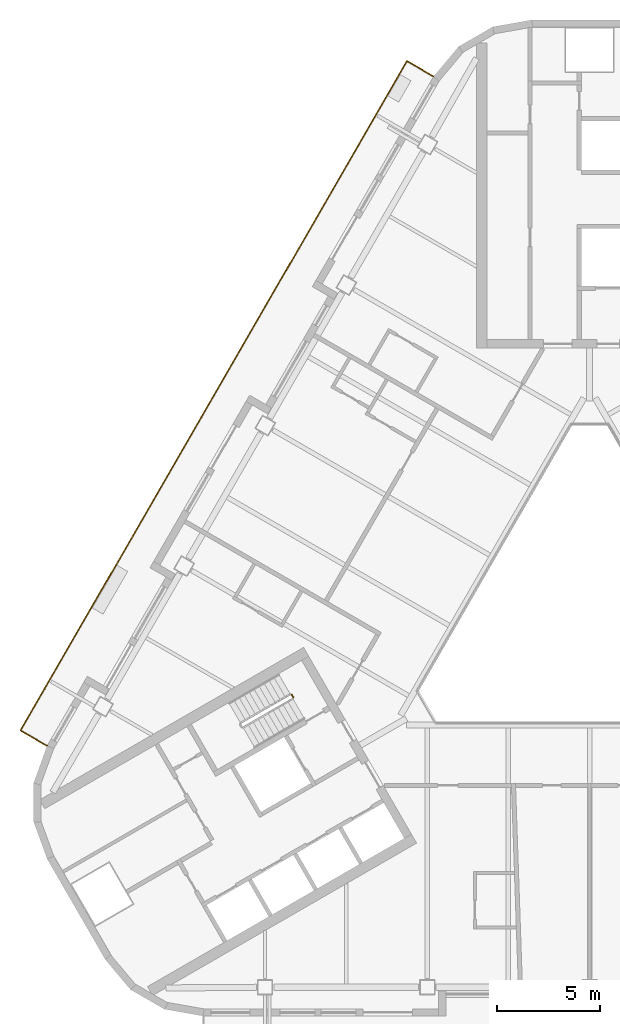
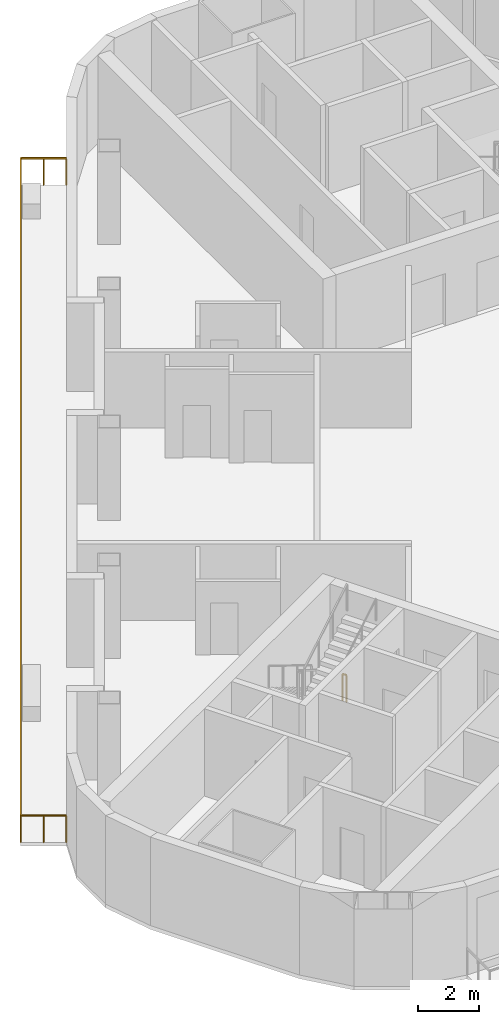
# One storey, part 10 of 13: 2 railings.
"""IFC4 building model written with IfcOpenShell, lengths in metres."""

from ifc_helpers import new_model, si_unit, direction, frame, origin, origin_2d, place, context, subcontext, project, spatial, rectangle, extrude, material, type_object, element, save


model = new_model("IFC4")

# Units and contexts
model_context = context("Model", 3, precision=1e-05, world=origin(), true_north=direction((0.0, 1.0)))
body_context = subcontext(model_context, "Body", "Model", "MODEL_VIEW")
ifc_project = project(units=[si_unit("LENGTHUNIT", "METRE"), si_unit("AREAUNIT", "SQUARE_METRE"), si_unit("VOLUMEUNIT", "CUBIC_METRE"), si_unit("PLANEANGLEUNIT", "RADIAN"), si_unit("MASSUNIT", "GRAM", prefix="KILO")], contexts=[model_context])

# Site, building, storey
site_placement = place(None, origin())
site = spatial("IfcSite", under=ifc_project, at=site_placement, CompositionType="ELEMENT")
building_placement = place(site_placement, origin())
building = spatial("IfcBuilding", under=site, at=building_placement, Name="Apuvela Tower Hotel", CompositionType="ELEMENT")
storey_placement = place(building_placement, frame((0.0, 0.0, 187.300048828125)))
storey = spatial("IfcBuildingStorey", under=building, at=storey_placement, Name="L45", CompositionType="ELEMENT", Elevation=187.300048828125)

# Railings
ifc_material_1 = material(Name="Steel S275 balustrade", Category="steel")
railing_type_1 = type_object("IfcRailingType", Name="COR-GUARD-1100", PredefinedType="GUARDRAIL", material=ifc_material_1)
railing_1_placement = place(storey_placement, frame((-14.500732421875, -3.984130859375, 0.0)))
element("IfcRailing", 1, at=railing_1_placement, inside=storey, type_object=railing_type_1, Name="L45 ST2 stair guard 4", PredefinedType="GUARDRAIL", context=body_context, shape_type="SweptSolid", body=[
    extrude(rectangle(XDim=0.048095703125, YDim=0.048095703125, at=origin_2d()), frame((0.0, 0.0, 1.076171875), z_axis=(0.499816412211, -0.866131372301, 0.0), x_axis=(0.866131372301, 0.499816412211, 0.0)), (0.0, 0.0, 1.0), 0.14990234375),
    extrude(rectangle(XDim=0.0419921875, YDim=0.0419921875, at=origin_2d()), origin(), (0.0, 0.0, 1.0), 1.052001953125),
    extrude(rectangle(XDim=0.0419921875, YDim=0.0419921875, at=origin_2d()), frame((0.074951171875, -0.1298828125, 0.0)), (0.0, 0.0, 1.0), 1.052001953125),
])
ifc_material_2 = material(Name="Stainless steel 316 rail with laminated glass infill", Category="steel")
railing_type_2 = type_object("IfcRailingType", Name="ENV-GUARD-1100", PredefinedType="GUARDRAIL", material=ifc_material_2)
railing_2_placement = place(storey_placement, frame((-7.59228515625, 26.110107421875, 0.0)))
element("IfcRailing", 2, at=railing_2_placement, inside=storey, type_object=railing_type_2, Name="Balcony guard NW L45", PredefinedType="GUARDRAIL", context=body_context, shape_type="SweptSolid", body=[
    extrude(rectangle(XDim=0.050048828125, YDim=0.050048828125, at=origin_2d()), frame((0.0, 0.0, 1.0751953125), z_axis=(-0.86599040064, 0.500060622324, 0.0), x_axis=(-0.500060622324, -0.86599040064, 0.0)), (0.0, 0.0, 1.0), 1.499755859375),
    extrude(rectangle(XDim=0.050048828125, YDim=0.050048828125, at=origin_2d()), frame((-1.298828125, 0.75, 1.0751953125), z_axis=(-0.500000437506, -0.86602515119, 0.0), x_axis=(0.86602515119, -0.500000437506, 0.0)), (0.0, 0.0, 1.0), 37.6318359375),
    extrude(rectangle(XDim=0.050048828125, YDim=0.050048828125, at=origin_2d()), frame((-20.11474609375, -31.840087890625, 1.0751953125), z_axis=(0.866031096941, -0.499990139034, 0.0), x_axis=(0.499990139034, 0.866031096941, 0.0)), (0.0, 0.0, 1.0), 1.5),
    extrude(rectangle(XDim=0.0400390625, YDim=0.0400390625, at=origin_2d()), origin(), (0.0, 0.0, 1.0), 1.050048828125),
    extrude(rectangle(XDim=0.0400390625, YDim=0.0400390625, at=origin_2d()), frame((-0.6494140625, 0.375, 0.0)), (0.0, 0.0, 1.0), 1.050048828125),
    extrude(rectangle(XDim=0.0400390625, YDim=0.0400390625, at=origin_2d()), frame((-1.298828125, 0.75, 0.0)), (0.0, 0.0, 1.0), 1.050048828125),
    extrude(rectangle(XDim=0.0400390625, YDim=0.0400390625, at=origin_2d()), frame((-1.88671875, -0.2685546875, 0.0)), (0.0, 0.0, 1.0), 1.050048828125),
    extrude(rectangle(XDim=0.0400390625, YDim=0.0400390625, at=origin_2d()), frame((-2.474853515625, -1.286865234375, 0.0)), (0.0, 0.0, 1.0), 1.050048828125),
    extrude(rectangle(XDim=0.0400390625, YDim=0.0400390625, at=origin_2d()), frame((-3.062744140625, -2.305419921875, 0.0)), (0.0, 0.0, 1.0), 1.050048828125),
    extrude(rectangle(XDim=0.0400390625, YDim=0.0400390625, at=origin_2d()), frame((-3.65087890625, -3.32373046875, 0.0)), (0.0, 0.0, 1.0), 1.050048828125),
    extrude(rectangle(XDim=0.0400390625, YDim=0.0400390625, at=origin_2d()), frame((-4.23876953125, -4.34228515625, 0.0)), (0.0, 0.0, 1.0), 1.050048828125),
    extrude(rectangle(XDim=0.0400390625, YDim=0.0400390625, at=origin_2d()), frame((-4.826904296875, -5.360595703125, 0.0)), (0.0, 0.0, 1.0), 1.050048828125),
    extrude(rectangle(XDim=0.0400390625, YDim=0.0400390625, at=origin_2d()), frame((-5.414794921875, -6.379150390625, 0.0)), (0.0, 0.0, 1.0), 1.050048828125),
    extrude(rectangle(XDim=0.0400390625, YDim=0.0400390625, at=origin_2d()), frame((-6.0029296875, -7.3974609375, 0.0)), (0.0, 0.0, 1.0), 1.050048828125),
    extrude(rectangle(XDim=0.0400390625, YDim=0.0400390625, at=origin_2d()), frame((-6.5908203125, -8.416015625, 0.0)), (0.0, 0.0, 1.0), 1.050048828125),
    extrude(rectangle(XDim=0.0400390625, YDim=0.0400390625, at=origin_2d()), frame((-7.1787109375, -9.434326171875, 0.0)), (0.0, 0.0, 1.0), 1.050048828125),
    extrude(rectangle(XDim=0.0400390625, YDim=0.0400390625, at=origin_2d()), frame((-7.766845703125, -10.452880859375, 0.0)), (0.0, 0.0, 1.0), 1.050048828125),
    extrude(rectangle(XDim=0.0400390625, YDim=0.0400390625, at=origin_2d()), frame((-8.354736328125, -11.47119140625, 0.0)), (0.0, 0.0, 1.0), 1.050048828125),
    extrude(rectangle(XDim=0.0400390625, YDim=0.0400390625, at=origin_2d()), frame((-8.94287109375, -12.48974609375, 0.0)), (0.0, 0.0, 1.0), 1.050048828125),
    extrude(rectangle(XDim=0.0400390625, YDim=0.0400390625, at=origin_2d()), frame((-9.53076171875, -13.508056640625, 0.0)), (0.0, 0.0, 1.0), 1.050048828125),
    extrude(rectangle(XDim=0.0400390625, YDim=0.0400390625, at=origin_2d()), frame((-10.118896484375, -14.526611328125, 0.0)), (0.0, 0.0, 1.0), 1.050048828125),
    extrude(rectangle(XDim=0.0400390625, YDim=0.0400390625, at=origin_2d()), frame((-10.706787109375, -15.544921875, 0.0)), (0.0, 0.0, 1.0), 1.050048828125),
    extrude(rectangle(XDim=0.0400390625, YDim=0.0400390625, at=origin_2d()), frame((-11.294677734375, -16.5634765625, 0.0)), (0.0, 0.0, 1.0), 1.050048828125),
    extrude(rectangle(XDim=0.0400390625, YDim=0.0400390625, at=origin_2d()), frame((-11.8828125, -17.58203125, 0.0)), (0.0, 0.0, 1.0), 1.050048828125),
    extrude(rectangle(XDim=0.0400390625, YDim=0.0400390625, at=origin_2d()), frame((-12.470703125, -18.600341796875, 0.0)), (0.0, 0.0, 1.0), 1.050048828125),
    extrude(rectangle(XDim=0.0400390625, YDim=0.0400390625, at=origin_2d()), frame((-13.058837890625, -19.618896484375, 0.0)), (0.0, 0.0, 1.0), 1.050048828125),
    extrude(rectangle(XDim=0.0400390625, YDim=0.0400390625, at=origin_2d()), frame((-13.646728515625, -20.63720703125, 0.0)), (0.0, 0.0, 1.0), 1.050048828125),
    extrude(rectangle(XDim=0.0400390625, YDim=0.0400390625, at=origin_2d()), frame((-14.23486328125, -21.65576171875, 0.0)), (0.0, 0.0, 1.0), 1.050048828125),
    extrude(rectangle(XDim=0.0400390625, YDim=0.0400390625, at=origin_2d()), frame((-14.82275390625, -22.674072265625, 0.0)), (0.0, 0.0, 1.0), 1.050048828125),
    extrude(rectangle(XDim=0.0400390625, YDim=0.0400390625, at=origin_2d()), frame((-15.41064453125, -23.692626953125, 0.0)), (0.0, 0.0, 1.0), 1.050048828125),
    extrude(rectangle(XDim=0.0400390625, YDim=0.0400390625, at=origin_2d()), frame((-15.998779296875, -24.7109375, 0.0)), (0.0, 0.0, 1.0), 1.050048828125),
    extrude(rectangle(XDim=0.0400390625, YDim=0.0400390625, at=origin_2d()), frame((-16.586669921875, -25.7294921875, 0.0)), (0.0, 0.0, 1.0), 1.050048828125),
    extrude(rectangle(XDim=0.0400390625, YDim=0.0400390625, at=origin_2d()), frame((-17.1748046875, -26.747802734375, 0.0)), (0.0, 0.0, 1.0), 1.050048828125),
    extrude(rectangle(XDim=0.0400390625, YDim=0.0400390625, at=origin_2d()), frame((-17.7626953125, -27.766357421875, 0.0)), (0.0, 0.0, 1.0), 1.050048828125),
    extrude(rectangle(XDim=0.0400390625, YDim=0.0400390625, at=origin_2d()), frame((-18.350830078125, -28.78466796875, 0.0)), (0.0, 0.0, 1.0), 1.050048828125),
    extrude(rectangle(XDim=0.0400390625, YDim=0.0400390625, at=origin_2d()), frame((-18.938720703125, -29.80322265625, 0.0)), (0.0, 0.0, 1.0), 1.050048828125),
    extrude(rectangle(XDim=0.0400390625, YDim=0.0400390625, at=origin_2d()), frame((-19.52685546875, -30.821533203125, 0.0)), (0.0, 0.0, 1.0), 1.050048828125),
    extrude(rectangle(XDim=0.0400390625, YDim=0.0400390625, at=origin_2d()), frame((-20.11474609375, -31.840087890625, 0.0)), (0.0, 0.0, 1.0), 1.050048828125),
    extrude(rectangle(XDim=0.0400390625, YDim=0.0400390625, at=origin_2d()), frame((-19.46533203125, -32.215087890625, 0.0)), (0.0, 0.0, 1.0), 1.050048828125),
    extrude(rectangle(XDim=0.0400390625, YDim=0.0400390625, at=origin_2d()), frame((-18.815673828125, -32.590087890625, 0.0)), (0.0, 0.0, 1.0), 1.050048828125),
])

save(model, "model.ifc")
